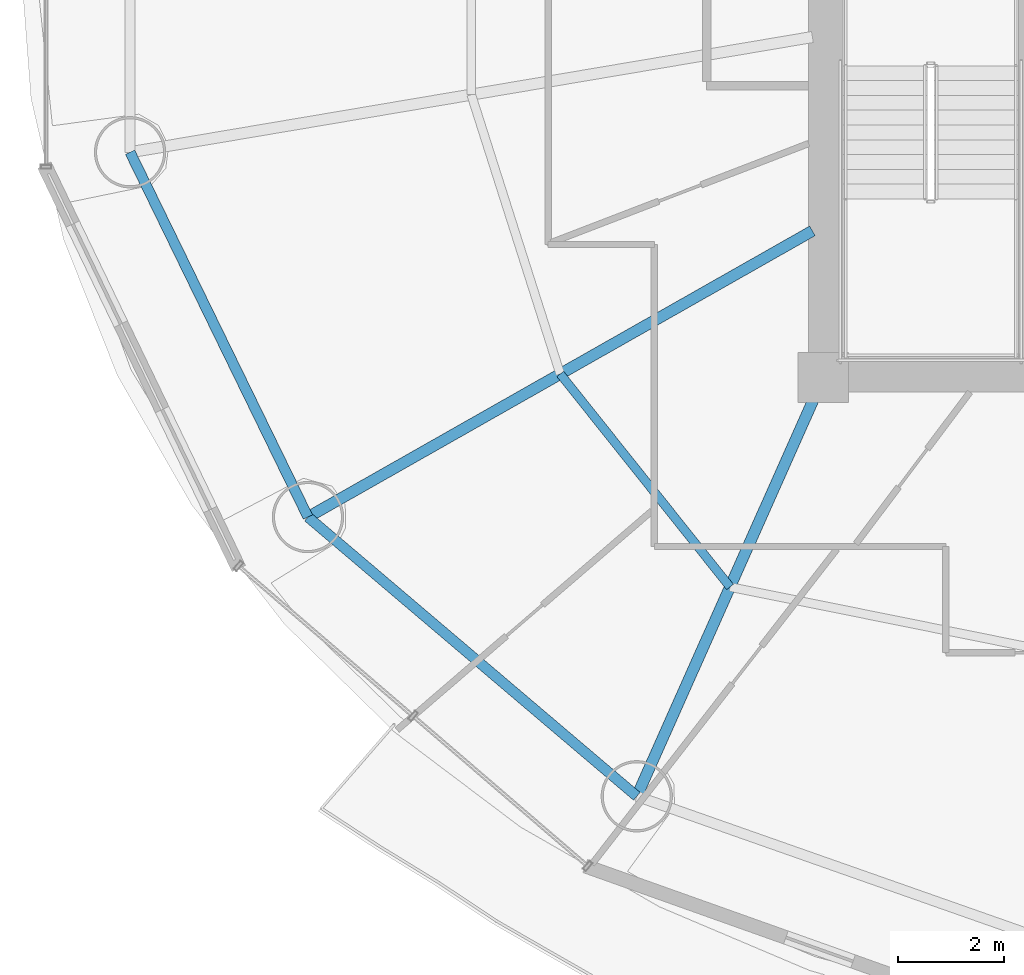
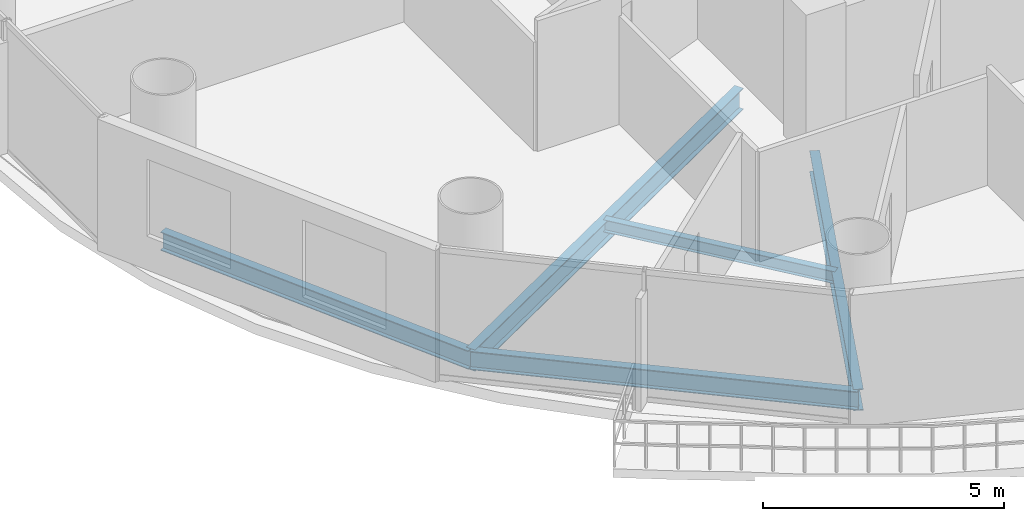
# One storey, part 3 of 26: 5 beams.
"""IFC4 building model written with IfcOpenShell, lengths in metres."""

from ifc_helpers import new_model, si_unit, direction, frame, origin, origin_2d, place, context, subcontext, project, spatial, i_section, extrude, material, material_profile, profile_set, type_object, element, save


model = new_model("IFC4")

# Units and contexts
model_context = context("Model", 3, precision=1e-05, world=origin(), true_north=direction((-0.2419218956, 0.970295726276)))
body_context = subcontext(model_context, "Body", "Model", "MODEL_VIEW")
ifc_project = project(units=[si_unit("LENGTHUNIT", "METRE"), si_unit("AREAUNIT", "SQUARE_METRE"), si_unit("VOLUMEUNIT", "CUBIC_METRE"), si_unit("PLANEANGLEUNIT", "RADIAN"), si_unit("MASSUNIT", "GRAM", prefix="KILO")], contexts=[model_context])

# Site, building, storey
site_placement = place(None, origin())
site = spatial("IfcSite", under=ifc_project, at=site_placement, CompositionType="ELEMENT")
building_placement = place(site_placement, origin())
building = spatial("IfcBuilding", under=site, at=building_placement, Name="Cobrevalo Terracotta Tower", CompositionType="ELEMENT")
storey_placement = place(building_placement, frame((0.0, 0.0, 178.60009765625)))
storey = spatial("IfcBuildingStorey", under=building, at=storey_placement, Name="L47", CompositionType="ELEMENT", Elevation=178.60009765625)

# Beams
ifc_material = material(Name="Steel S355", Category="steel")
ifc_material_profile_1 = material_profile(ifc_material, i_section(OverallWidth=0.2109375, OverallDepth=0.5390625, WebThickness=0.01171875, FlangeThickness=0.018798828125, at=origin_2d()), Name="W 530x109")
ifc_profile_set_1 = profile_set([ifc_material_profile_1], Name="Steel S355")
beam_type_1 = type_object("IfcBeamType", Name="Structural Beam W 530x109 (Steel S355)", PredefinedType="BEAM", material=ifc_profile_set_1)
beam_1_placement = place(storey_placement, frame((19.250244140625, 16.160888671875, -0.53955078125), z_axis=(0.869743726706, 0.493503647257, 0.0), x_axis=(-0.493503647257, 0.869743726706, 0.0)))
element("IfcBeam", 1, at=beam_1_placement, inside=storey, type_object=beam_type_1, Name="L47 radial floor girder 10", PredefinedType="BEAM", context=body_context, shape_type="SweptSolid", body=[
    extrude(i_section(OverallWidth=0.2109375, OverallDepth=0.5390625, WebThickness=0.01171875, FlangeThickness=0.018798828125, at=origin_2d()), origin(), (0.0, 0.0, 1.0), 10.97412109375),
])
beam_2_placement = place(storey_placement, frame((25.471923828125, 10.87744140625, -0.53955078125), z_axis=(0.406804395691, 0.913515289224, 0.0), x_axis=(-0.913515289224, 0.406804395691, 0.0)))
element("IfcBeam", 2, at=beam_2_placement, inside=storey, type_object=beam_type_1, Name="L47 radial floor girder 11", PredefinedType="BEAM", context=body_context, shape_type="SweptSolid", body=[
    extrude(i_section(OverallWidth=0.2109375, OverallDepth=0.5390625, WebThickness=0.01171875, FlangeThickness=0.018798828125, at=origin_2d()), origin(), (0.0, 0.0, 1.0), 8.672607421875),
])
ifc_material_profile_2 = material_profile(ifc_material, i_section(OverallWidth=0.1650390625, OverallDepth=0.31005859375, WebThickness=0.005859375, FlangeThickness=0.009765625, at=origin_2d()), Name="W 310x38.7")
ifc_profile_set_2 = profile_set([ifc_material_profile_2], Name="Steel S355")
beam_type_2 = type_object("IfcBeamType", Name="Structural Joist W 310x38.7 (Steel S355)", PredefinedType="JOIST", material=ifc_profile_set_2)
beam_3_placement = place(storey_placement, frame((24.022705078125, 18.868896484375, -0.425048828125), z_axis=(0.623382939397, -0.781916690492, 0.0), x_axis=(0.781916690492, 0.623382939397, 0.0)))
element("IfcBeam", 3, at=beam_3_placement, inside=storey, type_object=beam_type_2, Name="L47 circumferential secondary floor joist 10", PredefinedType="JOIST", context=body_context, shape_type="SweptSolid", body=[
    extrude(i_section(OverallWidth=0.1650390625, OverallDepth=0.31005859375, WebThickness=0.005859375, FlangeThickness=0.009765625, at=origin_2d()), origin(), (0.0, 0.0, 1.0), 5.154296875),
])
ifc_material_profile_3 = material_profile(ifc_material, i_section(OverallWidth=0.194091796875, OverallDepth=0.468994140625, WebThickness=0.011474609375, FlangeThickness=0.0205078125, at=origin_2d()), Name="W 460x106")
ifc_profile_set_3 = profile_set([ifc_material_profile_3], Name="Steel S355")
beam_type_3 = type_object("IfcBeamType", Name="Structural Spandrel W 460x106 (Steel S355)", PredefinedType="SPANDREL", material=ifc_profile_set_3)
beam_4_placement = place(storey_placement, frame((15.88330078125, 23.06396484375, -0.504638671875), z_axis=(0.438380418332, -0.898789524206, 0.0), x_axis=(0.898789524206, 0.438380418332, 0.0)))
element("IfcBeam", 4, at=beam_4_placement, inside=storey, type_object=beam_type_3, Name="L47 perimeter ring spandrel 09", PredefinedType="SPANDREL", context=body_context, shape_type="SweptSolid", body=[
    extrude(i_section(OverallWidth=0.194091796875, OverallDepth=0.468994140625, WebThickness=0.011474609375, FlangeThickness=0.0205078125, at=origin_2d()), origin(), (0.0, 0.0, 1.0), 7.680419921875),
])
beam_5_placement = place(storey_placement, frame((19.250244140625, 16.160888671875, -0.504638671875), z_axis=(0.762240337798, -0.647294112003, 0.0), x_axis=(0.647294112003, 0.762240337798, 0.0)))
element("IfcBeam", 5, at=beam_5_placement, inside=storey, type_object=beam_type_3, Name="L47 perimeter ring spandrel 10", PredefinedType="SPANDREL", context=body_context, shape_type="SweptSolid", body=[
    extrude(i_section(OverallWidth=0.194091796875, OverallDepth=0.468994140625, WebThickness=0.011474609375, FlangeThickness=0.0205078125, at=origin_2d()), origin(), (0.0, 0.0, 1.0), 8.162353515625),
])

save(model, "model.ifc")
